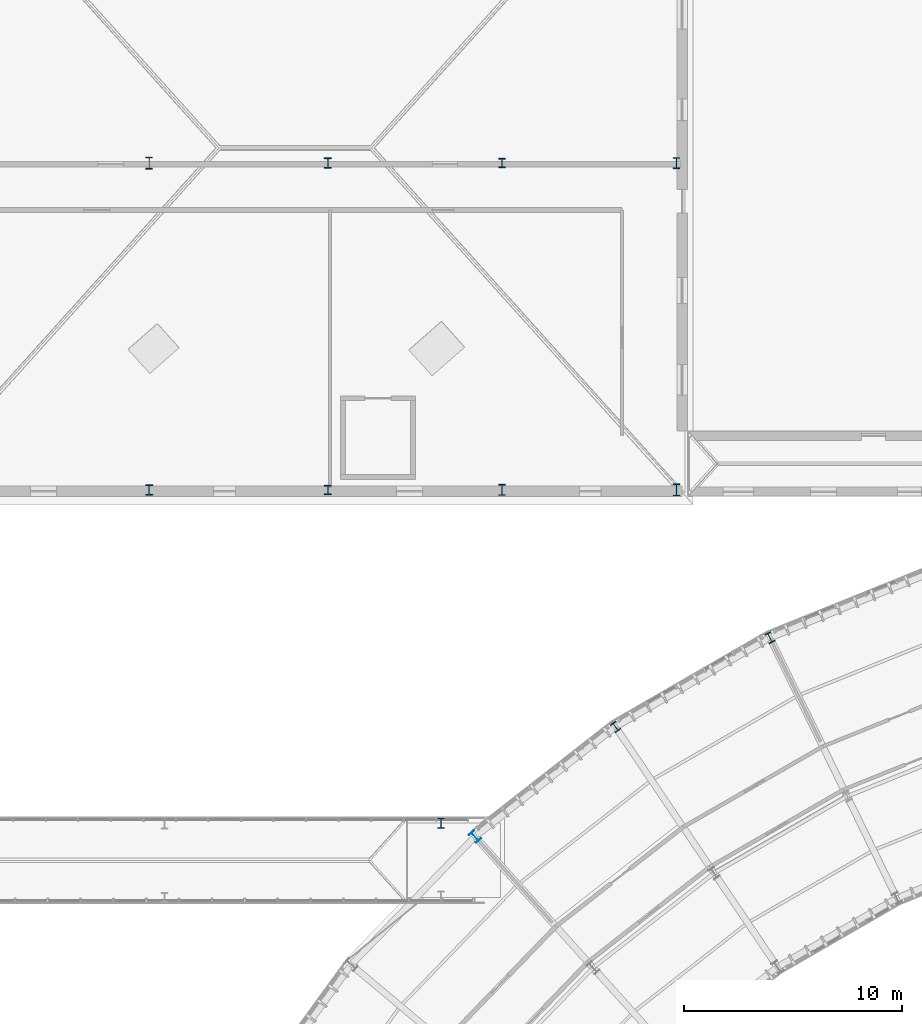
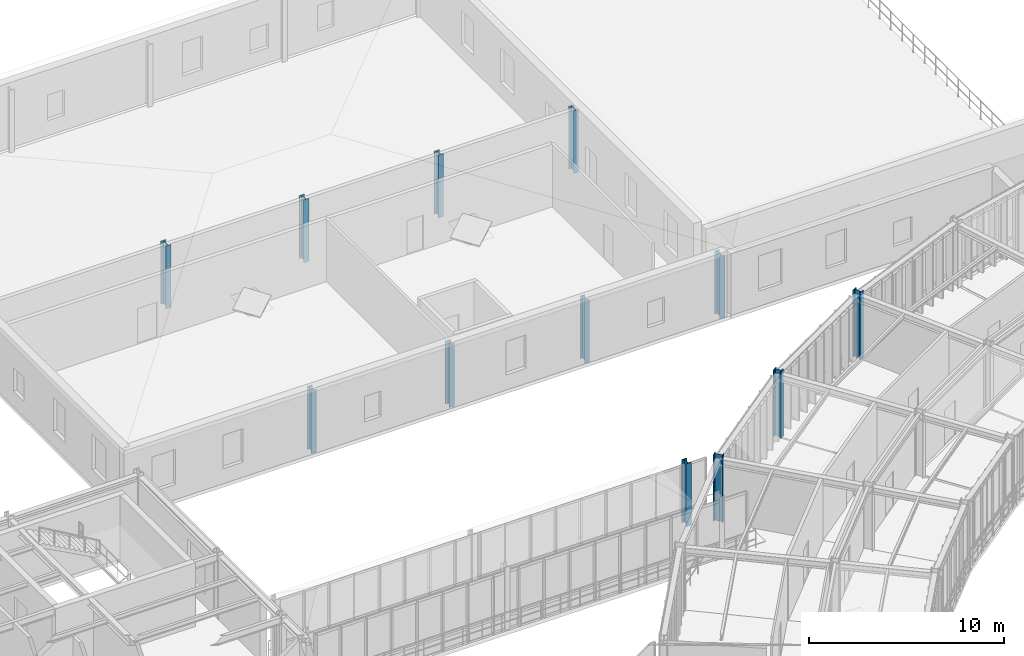
# One storey, part 5 of 57: 12 columns.
"""IFC4 building model written with IfcOpenShell, lengths in metres."""

from ifc_helpers import new_model, si_unit, direction, frame, origin, origin_2d, place, context, subcontext, project, spatial, i_section, extrude, material, material_profile, profile_set, type_object, element, save


model = new_model("IFC4")

# Units and contexts
model_context = context("Model", 3, precision=1e-05, world=origin(), true_north=direction((0.0, 1.0)))
body_context = subcontext(model_context, "Body", "Model", "MODEL_VIEW")
ifc_project = project(units=[si_unit("LENGTHUNIT", "METRE"), si_unit("AREAUNIT", "SQUARE_METRE"), si_unit("VOLUMEUNIT", "CUBIC_METRE"), si_unit("PLANEANGLEUNIT", "RADIAN"), si_unit("MASSUNIT", "GRAM", prefix="KILO"), si_unit("THERMODYNAMICTEMPERATUREUNIT", "KELVIN"), si_unit("POWERUNIT", "WATT")], contexts=[model_context])

# Site, building, storey
site_placement = place(None, origin())
site = spatial("IfcSite", under=ifc_project, at=site_placement, CompositionType="ELEMENT")
building_placement = place(site_placement, origin())
building = spatial("IfcBuilding", under=site, at=building_placement, Name="Solvatero Civic Police Headquarters", CompositionType="ELEMENT")
storey_placement = place(building_placement, frame((0.0, 0.0, 9.300048828125)))
storey = spatial("IfcBuildingStorey", under=building, at=storey_placement, Name="L02", CompositionType="ELEMENT", Elevation=9.300048828125)

# Columns
ifc_material = material(Name="Steel S355", Category="steel")
ifc_material_profile_1 = material_profile(ifc_material, i_section(OverallWidth=0.300048828125, OverallDepth=0.5, WebThickness=0.014404296875, FlangeThickness=0.028076171875, FilletRadius=0.027099609375, at=origin_2d()), Name="HEB 500")
ifc_profile_set_1 = profile_set([ifc_material_profile_1], Name="Steel S355")
column_type_1 = type_object("IfcColumnType", Name="COL-ST-HEB500", PredefinedType="COLUMN", material=ifc_profile_set_1)
column_1_placement = place(storey_placement, frame((54.755615234375, 69.58544921875, 0.0), z_axis=(0.0, 0.0, 1.0), x_axis=(0.743144825477, 0.669130606359, 0.0)))
element("IfcColumn", 1, at=column_1_placement, inside=storey, type_object=column_type_1, Name="Column ARC-S06-OUT L02", PredefinedType="COLUMN", context=body_context, shape_type="SweptSolid", body=[
    extrude(i_section(OverallWidth=0.300048828125, OverallDepth=0.5, WebThickness=0.014404296875, FlangeThickness=0.028076171875, FilletRadius=0.027099609375, at=origin_2d()), origin(), (0.0, 0.0, 1.0), 4.199951171875),
])
for number, where, z_axis, x_axis, name in (
    (2, (56.0, 85.5, 0.0), (0.0, 0.0, 1.0), (1.0, 0.0, 0.0), "Column V7-X4Y1 L02"),
    (3, (64.0, 100.5, 0.0), (0.0, 0.0, 1.0), (1.0, 0.0, 0.0), "Column V7-X5Y2 L02"),
):
    element("IfcColumn", number, at=place(storey_placement, frame(where, z_axis=z_axis, x_axis=x_axis)), inside=storey, type_object=column_type_1, Name=name, PredefinedType="COLUMN", context=body_context, shape_type="SweptSolid", body=[
        extrude(i_section(OverallWidth=0.300048828125, OverallDepth=0.5, WebThickness=0.014404296875, FlangeThickness=0.028076171875, FilletRadius=0.027099609375, at=origin_2d()), origin(), (0.0, 0.0, 1.0), 3.93994140625),
    ])
ifc_material_profile_2 = material_profile(ifc_material, i_section(OverallWidth=0.300048828125, OverallDepth=0.550048828125, WebThickness=0.014892578125, FlangeThickness=0.029052734375, FilletRadius=0.027099609375, at=origin_2d()), Name="HEB 550")
ifc_profile_set_2 = profile_set([ifc_material_profile_2], Name="Steel S355")
column_type_2 = type_object("IfcColumnType", Name="COL-ST-HEB550", PredefinedType="COLUMN", material=ifc_profile_set_2)
for number, where, z_axis, x_axis, name in (
    (4, (39.800048828125, 100.5, 0.0), (0.0, 0.0, 1.0), (1.0, 0.0, 0.0), "Column V7-X2Y2 L02"),
    (5, (64.0, 85.5, 0.0), (0.0, 0.0, 1.0), (1.0, 0.0, 0.0), "Column V7-X5Y1 L02"),
):
    element("IfcColumn", number, at=place(storey_placement, frame(where, z_axis=z_axis, x_axis=x_axis)), inside=storey, type_object=column_type_2, Name=name, PredefinedType="COLUMN", context=body_context, shape_type="SweptSolid", body=[
        extrude(i_section(OverallWidth=0.300048828125, OverallDepth=0.550048828125, WebThickness=0.014892578125, FlangeThickness=0.029052734375, FilletRadius=0.027099609375, at=origin_2d()), origin(), (0.0, 0.0, 1.0), 3.93994140625),
    ])
ifc_material_profile_3 = material_profile(ifc_material, i_section(OverallWidth=0.306884765625, OverallDepth=0.431884765625, WebThickness=0.02099609375, FlangeThickness=0.0400390625, FilletRadius=0.027099609375, at=origin_2d()), Name="HEM 400")
ifc_profile_set_3 = profile_set([ifc_material_profile_3], Name="Steel S355")
column_type_3 = type_object("IfcColumnType", Name="COL-ST-HEM400", PredefinedType="COLUMN", material=ifc_profile_set_3)
column_2_placement = place(storey_placement, frame((61.203369140625, 74.623046875, 0.0), z_axis=(0.0, 0.0, 1.0), x_axis=(0.829037572555, 0.559192903471, 0.0)))
element("IfcColumn", 6, at=column_2_placement, inside=storey, type_object=column_type_3, Name="Column ARC-S05-OUT L02", PredefinedType="COLUMN", context=body_context, shape_type="SweptSolid", body=[
    extrude(i_section(OverallWidth=0.306884765625, OverallDepth=0.431884765625, WebThickness=0.02099609375, FlangeThickness=0.0400390625, FilletRadius=0.027099609375, at=origin_2d()), origin(), (0.0, 0.0, 1.0), 4.199951171875),
])
for number, where, z_axis, x_axis, name in (
    (7, (48.0, 85.5, 0.0), (0.0, 0.0, 1.0), (1.0, 0.0, 0.0), "Column V7-X3Y1 L02"),
    (8, (56.0, 100.5, 0.0), (0.0, 0.0, 1.0), (1.0, 0.0, 0.0), "Column V7-X4Y2 L02"),
):
    element("IfcColumn", number, at=place(storey_placement, frame(where, z_axis=z_axis, x_axis=x_axis)), inside=storey, type_object=column_type_3, Name=name, PredefinedType="COLUMN", context=body_context, shape_type="SweptSolid", body=[
        extrude(i_section(OverallWidth=0.306884765625, OverallDepth=0.431884765625, WebThickness=0.02099609375, FlangeThickness=0.0400390625, FilletRadius=0.027099609375, at=origin_2d()), origin(), (0.0, 0.0, 1.0), 3.93994140625),
    ])
ifc_material_profile_4 = material_profile(ifc_material, i_section(OverallWidth=0.306884765625, OverallDepth=0.47802734375, WebThickness=0.02099609375, FlangeThickness=0.0400390625, FilletRadius=0.027099609375, at=origin_2d()), Name="HEM 450")
ifc_profile_set_4 = profile_set([ifc_material_profile_4], Name="Steel S355")
column_type_4 = type_object("IfcColumnType", Name="COL-ST-HEM450", PredefinedType="COLUMN", material=ifc_profile_set_4)
column_3_placement = place(storey_placement, frame((68.28955078125, 78.71435546875, 0.0), z_axis=(0.0, 0.0, 1.0), x_axis=(0.898794046299, 0.438371146789, 0.0)))
element("IfcColumn", 9, at=column_3_placement, inside=storey, type_object=column_type_4, Name="Column ARC-S04-OUT L02", PredefinedType="COLUMN", context=body_context, shape_type="SweptSolid", body=[
    extrude(i_section(OverallWidth=0.306884765625, OverallDepth=0.47802734375, WebThickness=0.02099609375, FlangeThickness=0.0400390625, FilletRadius=0.027099609375, at=origin_2d()), origin(), (0.0, 0.0, 1.0), 4.199951171875),
])
for number, where, z_axis, x_axis, name in (
    (10, (53.199951171875, 70.199951171875, 0.0), (0.0, 0.0, 1.0), (1.0, 0.0, 0.0), "Column SB2-E-N L02"),
    (11, (39.800048828125, 85.5, 0.0), (0.0, 0.0, 1.0), (1.0, 0.0, 0.0), "Column V7-X2Y1 L02"),
    (12, (48.0, 100.5, 0.0), (0.0, 0.0, 1.0), (1.0, 0.0, 0.0), "Column V7-X3Y2 L02"),
):
    element("IfcColumn", number, at=place(storey_placement, frame(where, z_axis=z_axis, x_axis=x_axis)), inside=storey, type_object=column_type_4, Name=name, PredefinedType="COLUMN", context=body_context, shape_type="SweptSolid", body=[
        extrude(i_section(OverallWidth=0.306884765625, OverallDepth=0.47802734375, WebThickness=0.02099609375, FlangeThickness=0.0400390625, FilletRadius=0.027099609375, at=origin_2d()), origin(), (0.0, 0.0, 1.0), 3.93994140625),
    ])

save(model, "model.ifc")
